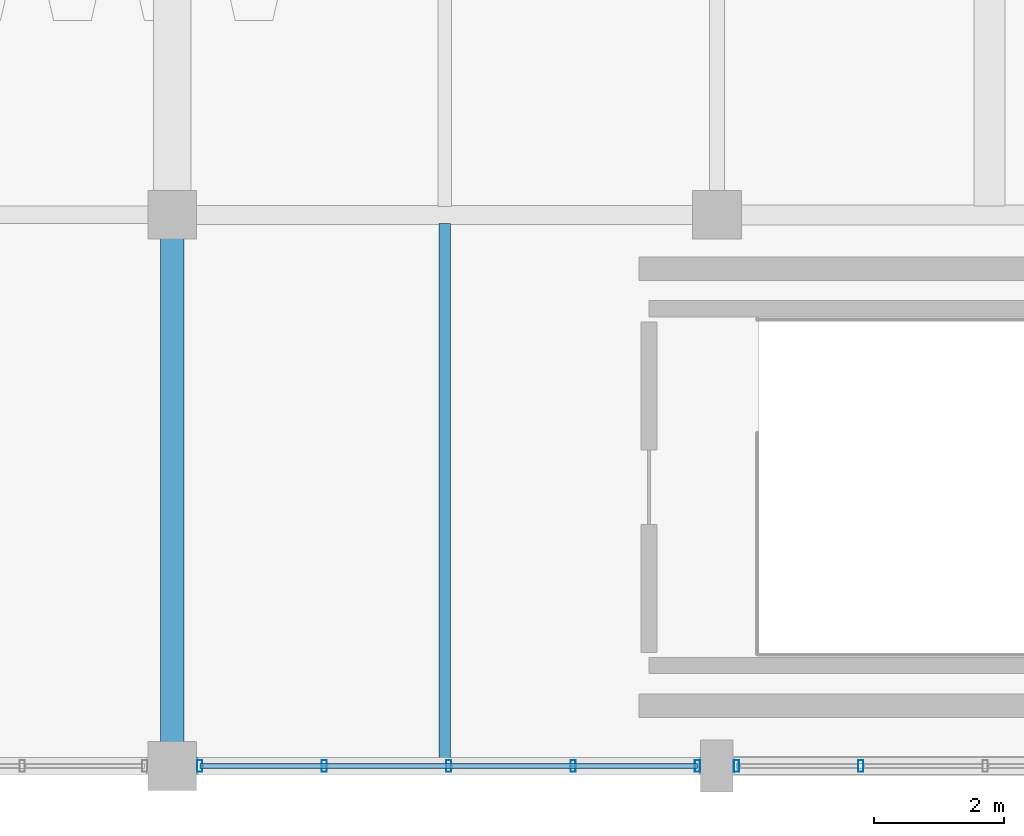
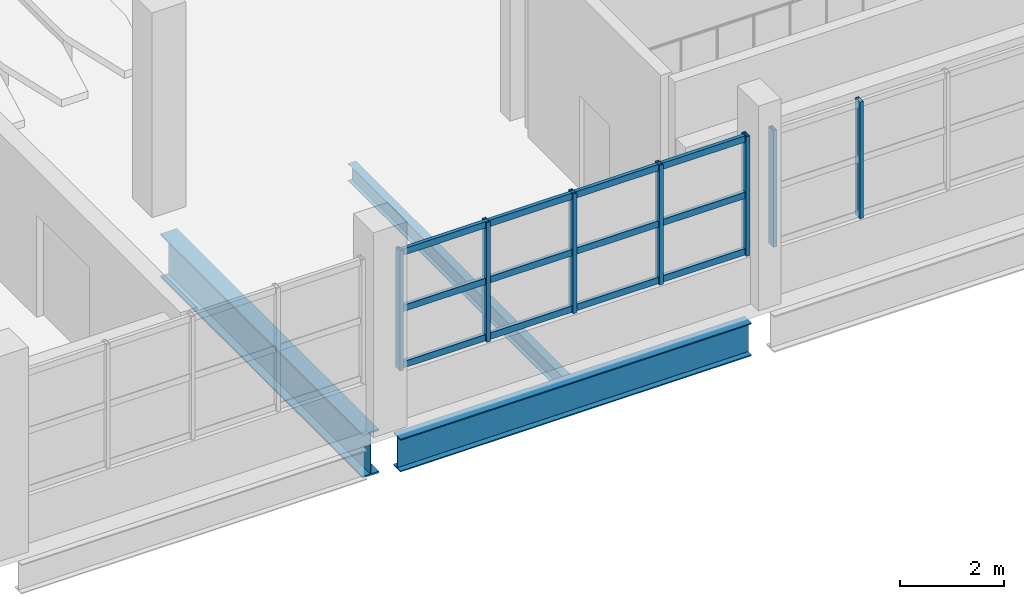
# One storey, part 40 of 77: 10 members, 3 beams, 2 elements without a shape of their own.
"""IFC4 building model written with IfcOpenShell, lengths in metres."""

from ifc_helpers import new_model, si_unit, direction, frame, origin, origin_2d, place, context, subcontext, project, spatial, hollow_rectangle, i_section, extrude, material, material_profile, profile_set, type_object, element, aggregate, save


model = new_model("IFC4")

# Units and contexts
model_context = context("Model", 3, precision=1e-05, world=origin(), true_north=direction((0.0, 1.0)))
body_context = subcontext(model_context, "Body", "Model", "MODEL_VIEW")
ifc_project = project(units=[si_unit("LENGTHUNIT", "METRE"), si_unit("AREAUNIT", "SQUARE_METRE"), si_unit("VOLUMEUNIT", "CUBIC_METRE"), si_unit("PLANEANGLEUNIT", "RADIAN"), si_unit("MASSUNIT", "GRAM", prefix="KILO")], contexts=[model_context])

# Site, building, storey
site_placement = place(None, origin())
site = spatial("IfcSite", under=ifc_project, at=site_placement, CompositionType="ELEMENT")
building_placement = place(site_placement, origin())
building = spatial("IfcBuilding", under=site, at=building_placement, Name="Solvento Point Concert Hall", CompositionType="ELEMENT")
storey_placement = place(building_placement, frame((0.0, 0.0, 10.199951171875)))
storey = spatial("IfcBuildingStorey", under=building, at=storey_placement, Name="L02", CompositionType="ELEMENT", Elevation=10.199951171875)

# Beams
ifc_material_1 = material(Name="Structural Steel ASTM A992 Grade 50", Category="steel")
ifc_material_profile_1 = material_profile(ifc_material_1, i_section(OverallWidth=0.26806640625, OverallDepth=0.77001953125, WebThickness=0.015625, FlangeThickness=0.025390625, at=origin_2d()), Name="W30X132")
ifc_profile_set_1 = profile_set([ifc_material_profile_1], Name="Structural Steel ASTM A992 Grade 50")
beam_type_1 = type_object("IfcBeamType", Name="Girder_W30X132", PredefinedType="USERDEFINED", material=ifc_profile_set_1)
beam_1_placement = place(storey_placement, frame((192.368896484375, 0.0, -0.828857421875), z_axis=(1.0, 0.0, 0.0), x_axis=(0.0, 1.0, 0.0)))
element("IfcBeam", 1, at=beam_1_placement, inside=storey, type_object=beam_type_1, Name="Primary girder B-68 L02", ObjectType="GIRDER", PredefinedType="USERDEFINED", context=body_context, shape_type="SweptSolid", body=[
    extrude(i_section(OverallWidth=0.26806640625, OverallDepth=0.77001953125, WebThickness=0.015625, FlangeThickness=0.025390625, at=origin_2d()), origin(), (0.0, 0.0, 1.0), 7.787109375),
])
ifc_material_2 = material(Name="Structural Steel ASTM A992 Grade 50", Category="steel")
ifc_material_profile_2 = material_profile(ifc_material_2, i_section(OverallWidth=0.361083984375, OverallDepth=1.02587890625, WebThickness=0.01904296875, FlangeThickness=0.0361328125, at=origin_2d()), Name="W40X249")
ifc_profile_set_2 = profile_set([ifc_material_profile_2], Name="Structural Steel ASTM A992 Grade 50")
beam_type_2 = type_object("IfcBeamType", Name="Girder_W40X249", PredefinedType="USERDEFINED", material=ifc_profile_set_2)
beam_2_placement = place(storey_placement, frame((192.0, 0.368896484375, -0.95703125), z_axis=(0.0, 1.0, 0.0), x_axis=(-1.0, 0.0, 0.0)))
element("IfcBeam", 2, at=beam_2_placement, inside=storey, type_object=beam_type_2, Name="Primary girder B-29 L02", ObjectType="GIRDER", PredefinedType="USERDEFINED", context=body_context, shape_type="SweptSolid", body=[
    extrude(i_section(OverallWidth=0.361083984375, OverallDepth=1.02587890625, WebThickness=0.01904296875, FlangeThickness=0.0361328125, at=origin_2d()), origin(), (0.0, 0.0, 1.0), 7.76220703125),
])
ifc_material_3 = material(Name="Structural Steel ASTM A992 Grade 50", Category="steel")
ifc_material_profile_3 = material_profile(ifc_material_3, i_section(OverallWidth=0.177490234375, OverallDepth=0.403076171875, WebThickness=0.007568359375, FlangeThickness=0.010986328125, at=origin_2d()), Name="W16X36")
ifc_profile_set_3 = profile_set([ifc_material_profile_3], Name="Structural Steel ASTM A992 Grade 50")
beam_type_3 = type_object("IfcBeamType", Name="Joist_W16X36", PredefinedType="JOIST", material=ifc_profile_set_3)
beam_3_placement = place(storey_placement, frame((196.199951171875, 0.118896484375, -0.6455078125), z_axis=(0.0, 1.0, 0.0), x_axis=(-1.0, 0.0, 0.0)))
element("IfcBeam", 3, at=beam_3_placement, inside=storey, type_object=beam_type_3, Name="Secondary floor joist B-30 L02", PredefinedType="JOIST", context=body_context, shape_type="SweptSolid", body=[
    extrude(i_section(OverallWidth=0.177490234375, OverallDepth=0.403076171875, WebThickness=0.007568359375, FlangeThickness=0.010986328125, at=origin_2d()), origin(), (0.0, 0.0, 1.0), 8.25),
])

# Curtain wall, members
ifc_material_4 = material(Name="Anodized Bronze Aluminium", Category="aluminium")
curtain_wall_type = type_object("IfcCurtainWallType", Name="CurtainWall_ChamberCircle", PredefinedType="USERDEFINED", material=ifc_material_4)
curtain_wall_1_placement = place(storey_placement, origin())
curtain_wall_1 = element("IfcCurtainWall", 4, at=curtain_wall_1_placement, inside=storey, type_object=curtain_wall_type, Name="Unitised curtain wall CW-32 UCW-L02-160", ObjectType="UNITISED CURTAIN WALL", PredefinedType="USERDEFINED")
ifc_material_5 = material(Name="Anodized Bronze Aluminium", Category="aluminium")
ifc_material_profile_4 = material_profile(ifc_material_5, hollow_rectangle(XDim=0.080078125, YDim=0.179931640625, WallThickness=0.00390625, at=origin_2d()), Name="CW-MUL-80X180")
ifc_profile_set_4 = profile_set([ifc_material_profile_4], Name="Anodized Bronze Aluminium")
member_type_1 = type_object("IfcMemberType", Name="Mullion_80x180", PredefinedType="MULLION", material=ifc_profile_set_4)
member_1_placement = place(storey_placement, frame((192.425048828125, 0.0, 1.1201171875), z_axis=(0.0, 0.0, 1.0), x_axis=(1.0, 0.0, 0.0)))
member_1 = element("IfcMember", 5, at=member_1_placement, type_object=member_type_1, Name="Curtain wall mullion ML-01", PredefinedType="MULLION", context=body_context, shape_type="SweptSolid", body=[
    extrude(hollow_rectangle(XDim=0.080078125, YDim=0.179931640625, WallThickness=0.00390625, at=origin_2d()), origin(), (0.0, 0.0, 1.0), 2.804931640625),
])
member_2_placement = place(storey_placement, frame((194.34375, 0.0, 1.1201171875), z_axis=(0.0, 0.0, 1.0), x_axis=(1.0, 0.0, 0.0)))
member_2 = element("IfcMember", 6, at=member_2_placement, type_object=member_type_1, Name="Curtain wall mullion ML-01", PredefinedType="MULLION", context=body_context, shape_type="SweptSolid", body=[
    extrude(hollow_rectangle(XDim=0.080078125, YDim=0.179931640625, WallThickness=0.00390625, at=origin_2d()), origin(), (0.0, 0.0, 1.0), 2.804931640625),
])
member_3_placement = place(storey_placement, frame((196.262451171875, 0.0, 1.1201171875), z_axis=(0.0, 0.0, 1.0), x_axis=(1.0, 0.0, 0.0)))
member_3 = element("IfcMember", 7, at=member_3_placement, type_object=member_type_1, Name="Curtain wall mullion ML-01", PredefinedType="MULLION", context=body_context, shape_type="SweptSolid", body=[
    extrude(hollow_rectangle(XDim=0.080078125, YDim=0.179931640625, WallThickness=0.00390625, at=origin_2d()), origin(), (0.0, 0.0, 1.0), 2.804931640625),
])
member_4_placement = place(storey_placement, frame((198.181396484375, 0.0, 1.1201171875), z_axis=(0.0, 0.0, 1.0), x_axis=(1.0, 0.0, 0.0)))
member_4 = element("IfcMember", 8, at=member_4_placement, type_object=member_type_1, Name="Curtain wall mullion ML-01", PredefinedType="MULLION", context=body_context, shape_type="SweptSolid", body=[
    extrude(hollow_rectangle(XDim=0.080078125, YDim=0.179931640625, WallThickness=0.00390625, at=origin_2d()), origin(), (0.0, 0.0, 1.0), 2.804931640625),
])
member_5_placement = place(storey_placement, frame((200.10009765625, 0.0, 1.1201171875), z_axis=(0.0, 0.0, 1.0), x_axis=(1.0, 0.0, 0.0)))
member_5 = element("IfcMember", 9, at=member_5_placement, type_object=member_type_1, Name="Curtain wall mullion ML-01", PredefinedType="MULLION", context=body_context, shape_type="SweptSolid", body=[
    extrude(hollow_rectangle(XDim=0.080078125, YDim=0.179931640625, WallThickness=0.00390625, at=origin_2d()), origin(), (0.0, 0.0, 1.0), 2.804931640625),
])

curtain_wall_2_placement = place(storey_placement, origin())
curtain_wall_2 = element("IfcCurtainWall", 10, at=curtain_wall_2_placement, inside=storey, type_object=curtain_wall_type, Name="Unitised curtain wall CW-32 UCW-L02-161", ObjectType="UNITISED CURTAIN WALL", PredefinedType="USERDEFINED")
member_6_placement = place(storey_placement, frame((200.699951171875, 0.0, 1.1201171875), z_axis=(0.0, 0.0, 1.0), x_axis=(1.0, 0.0, 0.0)))
member_6 = element("IfcMember", 11, at=member_6_placement, type_object=member_type_1, Name="Curtain wall mullion ML-01", PredefinedType="MULLION", context=body_context, shape_type="SweptSolid", body=[
    extrude(hollow_rectangle(XDim=0.080078125, YDim=0.179931640625, WallThickness=0.00390625, at=origin_2d()), origin(), (0.0, 0.0, 1.0), 2.73681640625),
])
member_7_placement = place(storey_placement, frame((202.61865234375, 0.0, 1.1201171875), z_axis=(0.0, 0.0, 1.0), x_axis=(1.0, 0.0, 0.0)))
member_7 = element("IfcMember", 12, at=member_7_placement, type_object=member_type_1, Name="Curtain wall mullion ML-01", PredefinedType="MULLION", context=body_context, shape_type="SweptSolid", body=[
    extrude(hollow_rectangle(XDim=0.080078125, YDim=0.179931640625, WallThickness=0.00390625, at=origin_2d()), origin(), (0.0, 0.0, 1.0), 2.73681640625),
])
aggregate(curtain_wall_2, [member_6, member_7])

# Member
ifc_material_6 = material(Name="Anodized Bronze Aluminium", Category="aluminium")
ifc_material_profile_5 = material_profile(ifc_material_6, hollow_rectangle(XDim=0.080078125, YDim=0.14990234375, WallThickness=0.00390625, at=origin_2d()), Name="CW-TRN-80X150")
ifc_profile_set_5 = profile_set([ifc_material_profile_5], Name="Anodized Bronze Aluminium")
member_type_2 = type_object("IfcMemberType", Name="Transom_80x150", PredefinedType="USERDEFINED", material=ifc_profile_set_5)
member_8_placement = place(storey_placement, frame((192.425048828125, 0.0, 1.199951171875), z_axis=(1.0, 0.0, 0.0), x_axis=(0.0, 1.0, 0.0)))
member_8 = element("IfcMember", 13, at=member_8_placement, type_object=member_type_2, Name="Curtain wall transom TR-01", ObjectType="TRANSOM", PredefinedType="USERDEFINED", context=body_context, shape_type="SweptSolid", body=[
    extrude(hollow_rectangle(XDim=0.080078125, YDim=0.14990234375, WallThickness=0.00390625, at=origin_2d()), origin(), (0.0, 0.0, 1.0), 7.675048828125),
])

member_9_placement = place(storey_placement, frame((192.425048828125, 0.0, 2.5224609375), z_axis=(1.0, 0.0, 0.0), x_axis=(0.0, 1.0, 0.0)))
member_9 = element("IfcMember", 14, at=member_9_placement, type_object=member_type_2, Name="Curtain wall transom TR-01", ObjectType="TRANSOM", PredefinedType="USERDEFINED", context=body_context, shape_type="SweptSolid", body=[
    extrude(hollow_rectangle(XDim=0.080078125, YDim=0.14990234375, WallThickness=0.00390625, at=origin_2d()), origin(), (0.0, 0.0, 1.0), 7.675048828125),
])

member_10_placement = place(storey_placement, frame((192.425048828125, 0.0, 3.844970703125), z_axis=(1.0, 0.0, 0.0), x_axis=(0.0, 1.0, 0.0)))
member_10 = element("IfcMember", 15, at=member_10_placement, type_object=member_type_2, Name="Curtain wall transom TR-01", ObjectType="TRANSOM", PredefinedType="USERDEFINED", context=body_context, shape_type="SweptSolid", body=[
    extrude(hollow_rectangle(XDim=0.080078125, YDim=0.14990234375, WallThickness=0.00390625, at=origin_2d()), origin(), (0.0, 0.0, 1.0), 7.675048828125),
])

aggregate(curtain_wall_1, [member_1, member_2, member_3, member_4, member_5, member_8, member_9, member_10])

save(model, "model.ifc")
